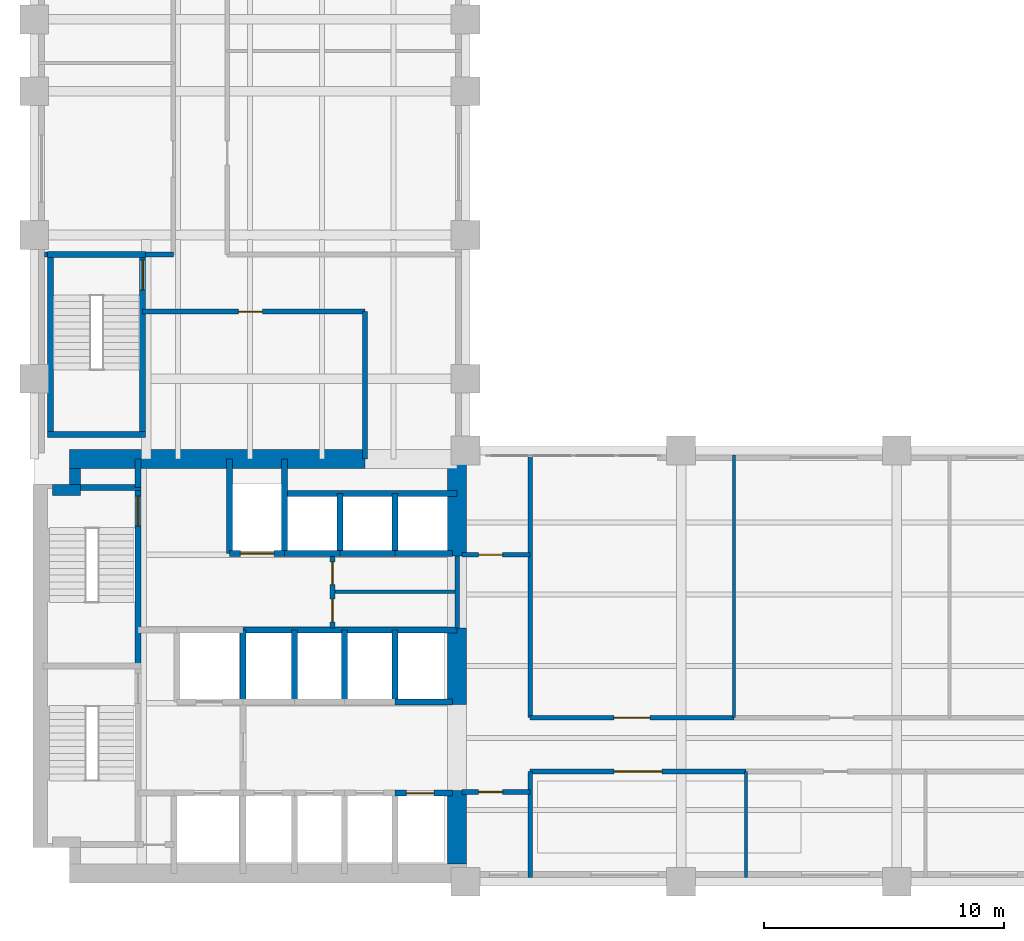
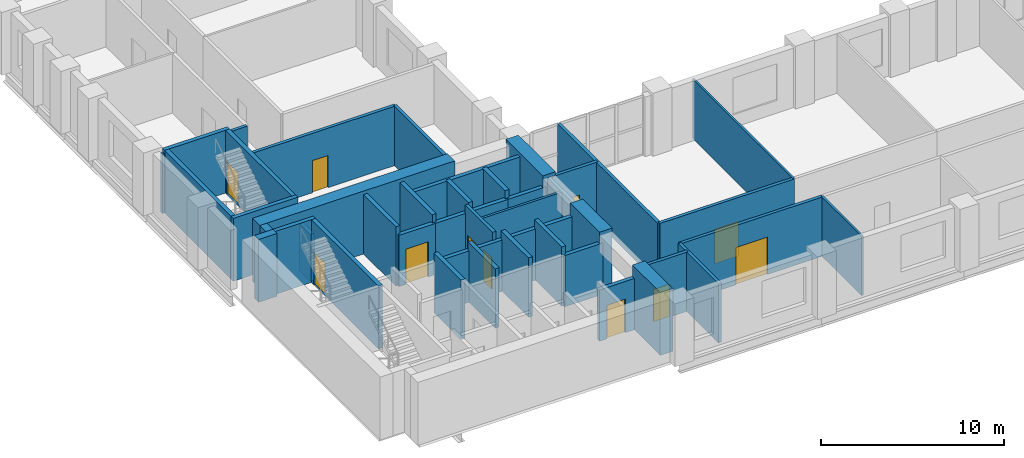
# One storey, part 5 of 8: 44 walls, 11 doors, 11 openings.
"""IFC4 building model written with IfcOpenShell, lengths in metres."""

from ifc_helpers import new_model, si_unit, direction, frame, frame_2d, origin, place, context, subcontext, project, spatial, rectangle, extrude, material, layer, layer_set, type_object, element, fill, save


model = new_model("IFC4")

# Units and contexts
model_context = context("Model", 3, precision=1e-05, world=origin(), true_north=direction((0.0, 1.0)))
body_context = subcontext(model_context, "Body", "Model", "MODEL_VIEW")
ifc_project = project(units=[si_unit("LENGTHUNIT", "METRE"), si_unit("AREAUNIT", "SQUARE_METRE"), si_unit("VOLUMEUNIT", "CUBIC_METRE"), si_unit("PLANEANGLEUNIT", "RADIAN"), si_unit("MASSUNIT", "GRAM", prefix="KILO")], contexts=[model_context])

# Site, building, storey
site_placement = place(None, origin())
site = spatial("IfcSite", under=ifc_project, at=site_placement, CompositionType="ELEMENT")
building_placement = place(site_placement, origin())
building = spatial("IfcBuilding", under=site, at=building_placement, Name="Mawjdan Bourse Tower", CompositionType="ELEMENT")
storey_placement = place(building_placement, frame((0.0, 0.0, 76.199951171875)))
storey = spatial("IfcBuildingStorey", under=building, at=storey_placement, Name="L17", CompositionType="ELEMENT", Elevation=76.199951171875)

# Wall, openings, doors
ifc_material_1 = material(Name="Gypsum Fireboard Assembly")
ifc_layer_1 = layer(ifc_material_1, 0.199951171875)
ifc_layer_set_1 = layer_set([ifc_layer_1], Name="Gypsum Fireboard Assembly")
wall_type_1 = type_object("IfcWallType", Name="WL-CMP-200", PredefinedType="PARTITIONING", material=ifc_layer_set_1)
wall_1_placement = place(storey_placement, frame((18.449951171875, 13.60009765625, 0.0), z_axis=(0.0, 0.0, 1.0), x_axis=(0.0, 1.0, 0.0)))
wall_1 = element("IfcWall", 1, at=wall_1_placement, inside=storey, type_object=wall_type_1, Name="L17 Core Restroom West Wall", PredefinedType="PARTITIONING", context=body_context, shape_type="SweptSolid", body=[
    extrude(rectangle(XDim=3.0, YDim=0.199951171875, at=frame_2d((1.5, 0.0))), origin(), (0.0, 0.0, 1.0), 3.969970703125),
])
opening_1_placement = place(wall_1_placement, frame((0.25, 0.0, 0.0)))
opening_1 = element("IfcOpeningElement", 2, at=opening_1_placement, cuts=wall_1, Name="Opening D-L17-14", PredefinedType="OPENING", context=body_context, shape_type="SweptSolid", body=[
    extrude(rectangle(XDim=0.949951171875, YDim=2.10009765625, at=frame_2d((0.47509765625, 1.050048828125))), frame((0.0, 0.10986328125, 0.0), z_axis=(0.0, -1.0, 0.0), x_axis=(1.0, 0.0, 0.0)), (0.0, 0.0, 1.0), 0.219970703125),
])
opening_2_placement = place(wall_1_placement, frame((1.800048828125, 0.0, 0.0)))
opening_2 = element("IfcOpeningElement", 3, at=opening_2_placement, cuts=wall_1, Name="Opening D-L17-15", PredefinedType="OPENING", context=body_context, shape_type="SweptSolid", body=[
    extrude(rectangle(XDim=0.949951171875, YDim=2.10009765625, at=frame_2d((0.47509765625, 1.050048828125))), frame((0.0, 0.10986328125, 0.0), z_axis=(0.0, -1.0, 0.0), x_axis=(1.0, 0.0, 0.0)), (0.0, 0.0, 1.0), 0.219970703125),
])
ifc_material_2 = material(Name="Moisture-Resistant Laminate Timber", Category="wood")
door_type_1 = type_object("IfcDoorType", Name="DR-WET-0950", OperationType="NOTDEFINED", PredefinedType="DOOR", material=ifc_material_2)
door_1_placement = place(opening_1_placement, origin())
door_1 = element("IfcDoor", 4, at=door_1_placement, inside=storey, type_object=door_type_1, Name="L17 Accessible WC Entry Door D-L17-14", OperationType="SINGLE_SWING_RIGHT", OverallHeight=2.10009765625, OverallWidth=0.949951171875, PredefinedType="DOOR", context=body_context, shape_type="SweptSolid", body=[
    extrude(rectangle(XDim=0.949951171875, YDim=2.10009765625, at=frame_2d((0.47509765625, 1.050048828125))), frame((0.0, 0.02490234375, 0.0), z_axis=(0.0, -1.0, 0.0), x_axis=(1.0, 0.0, 0.0)), (0.0, 0.0, 1.0), 0.050048828125),
])
fill(opening_1, door_1)
door_2_placement = place(opening_2_placement, origin())
door_2 = element("IfcDoor", 5, at=door_2_placement, inside=storey, type_object=door_type_1, Name="L17 Female Restroom Entry Door D-L17-15", OperationType="SINGLE_SWING_LEFT", OverallHeight=2.10009765625, OverallWidth=0.949951171875, PredefinedType="DOOR", context=body_context, shape_type="SweptSolid", body=[
    extrude(rectangle(XDim=0.949951171875, YDim=2.10009765625, at=frame_2d((0.47509765625, 1.050048828125))), frame((0.0, 0.02490234375, 0.0), z_axis=(0.0, -1.0, 0.0), x_axis=(1.0, 0.0, 0.0)), (0.0, 0.0, 1.0), 0.050048828125),
])
fill(opening_2, door_2)

# Wall
wall_2_placement = place(storey_placement, frame((23.64990234375, 13.60009765625, 0.0), z_axis=(0.0, 0.0, 1.0), x_axis=(0.0, 1.0, 0.0)))
element("IfcWall", 6, at=wall_2_placement, inside=storey, type_object=wall_type_1, Name="L17 Core Restroom East Enclosing Wall", PredefinedType="PARTITIONING", context=body_context, shape_type="SweptSolid", body=[
    extrude(rectangle(XDim=3.0, YDim=0.199951171875, at=frame_2d((1.5, 0.0))), origin(), (0.0, 0.0, 1.0), 3.969970703125),
])

# Wall, opening, door
wall_3_placement = place(storey_placement, frame((23.85009765625, 6.75, 0.0), z_axis=(0.0, 0.0, 1.0), x_axis=(1.0, 0.0, 0.0)))
wall_3 = element("IfcWall", 7, at=wall_3_placement, inside=storey, type_object=wall_type_1, Name="L17 West Pocket North Wall", PredefinedType="PARTITIONING", context=body_context, shape_type="SweptSolid", body=[
    extrude(rectangle(XDim=2.849853515625, YDim=0.199951171875, at=frame_2d((1.4248046875, 0.0))), origin(), (0.0, 0.0, 1.0), 3.969970703125),
])
opening_3_placement = place(wall_3_placement, frame((0.699951171875, 0.0, 0.0)))
opening_3 = element("IfcOpeningElement", 8, at=opening_3_placement, cuts=wall_3, Name="Opening D-L17-17", PredefinedType="OPENING", context=body_context, shape_type="SweptSolid", body=[
    extrude(rectangle(XDim=1.0, YDim=2.14990234375, at=frame_2d((0.5, 1.074951171875))), frame((0.0, 0.10986328125, 0.0), z_axis=(0.0, -1.0, 0.0), x_axis=(1.0, 0.0, 0.0)), (0.0, 0.0, 1.0), 0.219970703125),
])
ifc_material_3 = material(Name="Hardwood Acoustic Leaf", Category="wood")
door_type_2 = type_object("IfcDoorType", Name="DR-OFC-1000", OperationType="NOTDEFINED", PredefinedType="DOOR", material=ifc_material_3)
door_3_placement = place(opening_3_placement, origin())
door_3 = element("IfcDoor", 9, at=door_3_placement, inside=storey, type_object=door_type_2, Name="L17 West Pocket Office Door D-L17-17", OperationType="SINGLE_SWING_LEFT", OverallHeight=2.14990234375, OverallWidth=1.0, PredefinedType="DOOR", context=body_context, shape_type="SweptSolid", body=[
    extrude(rectangle(XDim=1.0, YDim=2.14990234375, at=frame_2d((0.5, 1.074951171875))), frame((0.0, 0.02490234375, 0.0), z_axis=(0.0, -1.0, 0.0), x_axis=(1.0, 0.0, 0.0)), (0.0, 0.0, 1.0), 0.050048828125),
])
fill(opening_3, door_3)

wall_4_placement = place(storey_placement, frame((23.85009765625, 16.64990234375, 0.0), z_axis=(0.0, 0.0, 1.0), x_axis=(1.0, 0.0, 0.0)))
wall_4 = element("IfcWall", 10, at=wall_4_placement, inside=storey, type_object=wall_type_1, Name="L17 West North Pocket Wall", PredefinedType="PARTITIONING", context=body_context, shape_type="SweptSolid", body=[
    extrude(rectangle(XDim=2.849853515625, YDim=0.199951171875, at=frame_2d((1.4248046875, 0.0))), origin(), (0.0, 0.0, 1.0), 3.969970703125),
])
opening_4_placement = place(wall_4_placement, frame((0.699951171875, 0.0, 0.0)))
opening_4 = element("IfcOpeningElement", 11, at=opening_4_placement, cuts=wall_4, Name="Opening D-L17-18", PredefinedType="OPENING", context=body_context, shape_type="SweptSolid", body=[
    extrude(rectangle(XDim=1.0, YDim=2.14990234375, at=frame_2d((0.5, 1.074951171875))), frame((0.0, 0.10986328125, 0.0), z_axis=(0.0, -1.0, 0.0), x_axis=(1.0, 0.0, 0.0)), (0.0, 0.0, 1.0), 0.219970703125),
])
door_4_placement = place(opening_4_placement, origin())
door_4 = element("IfcDoor", 12, at=door_4_placement, inside=storey, type_object=door_type_2, Name="L17 West North Pocket Door D-L17-18", OperationType="SINGLE_SWING_RIGHT", OverallHeight=2.14990234375, OverallWidth=1.0, PredefinedType="DOOR", context=body_context, shape_type="SweptSolid", body=[
    extrude(rectangle(XDim=1.0, YDim=2.14990234375, at=frame_2d((0.5, 1.074951171875))), frame((0.0, 0.02490234375, 0.0), z_axis=(0.0, -1.0, 0.0), x_axis=(1.0, 0.0, 0.0)), (0.0, 0.0, 1.0), 0.050048828125),
])
fill(opening_4, door_4)

# Walls
wall_5_placement = place(storey_placement, frame((26.699951171875, 3.179931640625, 0.0), z_axis=(0.0, 0.0, 1.0), x_axis=(0.0, 1.0, 0.0)))
element("IfcWall", 13, at=wall_5_placement, inside=storey, type_object=wall_type_1, Name="L17 Vestibule South East Wall", PredefinedType="PARTITIONING", context=body_context, shape_type="SweptSolid", body=[
    extrude(rectangle(XDim=4.420166015625, YDim=0.199951171875, at=frame_2d((2.2099609375, 0.0))), origin(), (0.0, 0.0, 1.0), 3.969970703125),
])
wall_6_placement = place(storey_placement, frame((26.699951171875, 9.85009765625, 0.0), z_axis=(0.0, 0.0, 1.0), x_axis=(0.0, 1.0, 0.0)))
element("IfcWall", 14, at=wall_6_placement, inside=storey, type_object=wall_type_1, Name="L17 Vestibule North East Wall", PredefinedType="PARTITIONING", context=body_context, shape_type="SweptSolid", body=[
    extrude(rectangle(XDim=10.969970703125, YDim=0.199951171875, at=frame_2d((5.48486328125, 0.0))), origin(), (0.0, 0.0, 1.0), 3.969970703125),
])

# Wall, opening, door
wall_7_placement = place(storey_placement, frame((26.699951171875, 7.60009765625, 0.0), z_axis=(0.0, 0.0, 1.0), x_axis=(1.0, 0.0, 0.0)))
wall_7 = element("IfcWall", 15, at=wall_7_placement, inside=storey, type_object=wall_type_1, Name="L17 Trading Floor Corridor Wall", PredefinedType="PARTITIONING", context=body_context, shape_type="SweptSolid", body=[
    extrude(rectangle(XDim=9.0, YDim=0.199951171875, at=frame_2d((4.5, 0.0))), origin(), (0.0, 0.0, 1.0), 3.969970703125),
])
opening_5_placement = place(wall_7_placement, frame((3.5, 0.0, 0.0)))
opening_5 = element("IfcOpeningElement", 16, at=opening_5_placement, cuts=wall_7, Name="Opening D-L17-19", PredefinedType="OPENING", context=body_context, shape_type="SweptSolid", body=[
    extrude(rectangle(XDim=2.0, YDim=2.5, at=frame_2d((1.0, 1.25))), frame((0.0, 0.10986328125, 0.0), z_axis=(0.0, -1.0, 0.0), x_axis=(1.0, 0.0, 0.0)), (0.0, 0.0, 1.0), 0.219970703125),
])
ifc_material_4 = material(Name="Acoustic Veneered Timber", Category="wood")
door_type_3 = type_object("IfcDoorType", Name="DR-ASM-2000", OperationType="DOUBLE_DOOR_SINGLE_SWING", PredefinedType="DOOR", material=ifc_material_4)
door_5_placement = place(opening_5_placement, origin())
door_5 = element("IfcDoor", 17, at=door_5_placement, inside=storey, type_object=door_type_3, Name="L17 Trading Floor Door D-L17-19", OperationType="DOUBLE_DOOR_SINGLE_SWING", OverallHeight=2.5, OverallWidth=2.0, PredefinedType="DOOR", context=body_context, shape_type="SweptSolid", body=[
    extrude(rectangle(XDim=2.0, YDim=2.5, at=frame_2d((1.0, 1.25))), frame((0.0, 0.02490234375, 0.0), z_axis=(0.0, -1.0, 0.0), x_axis=(1.0, 0.0, 0.0)), (0.0, 0.0, 1.0), 0.050048828125),
])
fill(opening_5, door_5)

wall_8_placement = place(storey_placement, frame((26.699951171875, 9.85009765625, 0.0), z_axis=(0.0, 0.0, 1.0), x_axis=(1.0, 0.0, 0.0)))
wall_8 = element("IfcWall", 18, at=wall_8_placement, inside=storey, type_object=wall_type_1, Name="L17 Conference Room Corridor Wall", PredefinedType="PARTITIONING", context=body_context, shape_type="SweptSolid", body=[
    extrude(rectangle(XDim=8.5, YDim=0.199951171875, at=frame_2d((4.25, 0.0))), origin(), (0.0, 0.0, 1.0), 3.969970703125),
])
opening_6_placement = place(wall_8_placement, frame((3.5, 0.0, 0.0)))
opening_6 = element("IfcOpeningElement", 19, at=opening_6_placement, cuts=wall_8, Name="Opening D-L17-22", PredefinedType="OPENING", context=body_context, shape_type="SweptSolid", body=[
    extrude(rectangle(XDim=1.5, YDim=2.300048828125, at=frame_2d((0.75, 1.14990234375))), frame((0.0, 0.10986328125, 0.0), z_axis=(0.0, -1.0, 0.0), x_axis=(1.0, 0.0, 0.0)), (0.0, 0.0, 1.0), 0.219970703125),
])
ifc_material_5 = material(Name="Acoustic Glazed Timber", Category="wood")
door_type_4 = type_object("IfcDoorType", Name="DR-CNF-1500", OperationType="DOUBLE_DOOR_SINGLE_SWING", PredefinedType="DOOR", material=ifc_material_5)
door_6_placement = place(opening_6_placement, origin())
door_6 = element("IfcDoor", 20, at=door_6_placement, inside=storey, type_object=door_type_4, Name="L17 Conference Room Door D-L17-22", OperationType="DOUBLE_DOOR_SINGLE_SWING", OverallHeight=2.300048828125, OverallWidth=1.5, PredefinedType="DOOR", context=body_context, shape_type="SweptSolid", body=[
    extrude(rectangle(XDim=1.5, YDim=2.300048828125, at=frame_2d((0.75, 1.14990234375))), frame((0.0, 0.02490234375, 0.0), z_axis=(0.0, -1.0, 0.0), x_axis=(1.0, 0.0, 0.0)), (0.0, 0.0, 1.0), 0.050048828125),
])
fill(opening_6, door_6)

wall_9_placement = place(storey_placement, frame((10.52001953125, 26.800048828125, 0.0), z_axis=(0.0, 0.0, 1.0), x_axis=(1.0, 0.0, 0.0)))
wall_9 = element("IfcWall", 21, at=wall_9_placement, inside=storey, type_object=wall_type_1, Name="L17 North Throat North Wall", PredefinedType="PARTITIONING", context=body_context, shape_type="SweptSolid", body=[
    extrude(rectangle(XDim=9.280029296875, YDim=0.199951171875, at=frame_2d((4.64013671875, 0.0))), origin(), (0.0, 0.0, 1.0), 3.969970703125),
])
opening_7_placement = place(wall_9_placement, frame((4.0, 0.0, 0.0)))
opening_7 = element("IfcOpeningElement", 22, at=opening_7_placement, cuts=wall_9, Name="Opening D-L17-27", PredefinedType="OPENING", context=body_context, shape_type="SweptSolid", body=[
    extrude(rectangle(XDim=1.0, YDim=2.14990234375, at=frame_2d((0.5, 1.074951171875))), frame((0.0, 0.10986328125, 0.0), z_axis=(0.0, -1.0, 0.0), x_axis=(1.0, 0.0, 0.0)), (0.0, 0.0, 1.0), 0.219970703125),
])
door_7_placement = place(opening_7_placement, origin())
door_7 = element("IfcDoor", 23, at=door_7_placement, inside=storey, type_object=door_type_2, Name="L17 North Throat Suite Door D-L17-27", OperationType="SINGLE_SWING_RIGHT", OverallHeight=2.14990234375, OverallWidth=1.0, PredefinedType="DOOR", context=body_context, shape_type="SweptSolid", body=[
    extrude(rectangle(XDim=1.0, YDim=2.14990234375, at=frame_2d((0.5, 1.074951171875))), frame((0.0, 0.02490234375, 0.0), z_axis=(0.0, -1.0, 0.0), x_axis=(1.0, 0.0, 0.0)), (0.0, 0.0, 1.0), 0.050048828125),
])
fill(opening_7, door_7)

# Walls
wall_10_placement = place(storey_placement, frame((19.800048828125, 20.64990234375, 0.0), z_axis=(0.0, 0.0, 1.0), x_axis=(0.0, 1.0, 0.0)))
element("IfcWall", 24, at=wall_10_placement, inside=storey, type_object=wall_type_1, Name="L17 North Throat East Wall", PredefinedType="PARTITIONING", context=body_context, shape_type="SweptSolid", body=[
    extrude(rectangle(XDim=6.150146484375, YDim=0.199951171875, at=frame_2d((3.0751953125, 0.0))), origin(), (0.0, 0.0, 1.0), 3.969970703125),
])
wall_11_placement = place(storey_placement, frame((6.419921875, 29.179931640625, 0.0), z_axis=(0.0, 0.0, 1.0), x_axis=(1.0, 0.0, 0.0)))
element("IfcWall", 25, at=wall_11_placement, inside=storey, type_object=wall_type_1, Name="L17 North West Band ST3 West Return", PredefinedType="PARTITIONING", context=body_context, shape_type="SweptSolid", body=[
    extrude(rectangle(XDim=0.135009765625, YDim=0.199951171875, at=frame_2d((0.0673828125, 0.0))), origin(), (0.0, 0.0, 1.0), 3.969970703125),
])
wall_12_placement = place(storey_placement, frame((10.6298828125, 29.179931640625, 0.0), z_axis=(0.0, 0.0, 1.0), x_axis=(1.0, 0.0, 0.0)))
element("IfcWall", 26, at=wall_12_placement, inside=storey, type_object=wall_type_1, Name="L17 North West Band South Wall", PredefinedType="PARTITIONING", context=body_context, shape_type="SweptSolid", body=[
    extrude(rectangle(XDim=1.170166015625, YDim=0.199951171875, at=frame_2d((0.5849609375, 0.0))), origin(), (0.0, 0.0, 1.0), 3.969970703125),
])
ifc_material_6 = material(Name="Concrete C60/75", Category="concrete")
ifc_layer_2 = layer(ifc_material_6, 0.449951171875)
ifc_layer_set_2 = layer_set([ifc_layer_2], Name="Concrete C60/75")
wall_type_2 = type_object("IfcWallType", Name="WL-CORE-450", PredefinedType="SHEAR", material=ifc_layer_set_2)
wall_13_placement = place(storey_placement, frame((6.75, 19.35009765625, 0.0), z_axis=(0.0, 0.0, 1.0), x_axis=(1.0, 0.0, 0.0)))
element("IfcWall", 27, at=wall_13_placement, inside=storey, type_object=wall_type_2, Name="L17 Rear Core Shear Wall NW-X", PredefinedType="SHEAR", context=body_context, shape_type="SweptSolid", body=[
    extrude(rectangle(XDim=1.175048828125, YDim=0.449951171875, at=frame_2d((0.58740234375, 0.0))), origin(), (0.0, 0.0, 1.0), 4.199951171875),
])
wall_14_placement = place(storey_placement, frame((7.699951171875, 19.574951171875, 0.0), z_axis=(0.0, 0.0, 1.0), x_axis=(0.0, 1.0, 0.0)))
element("IfcWall", 28, at=wall_14_placement, inside=storey, type_object=wall_type_2, Name="L17 Rear Core Shear Wall NW-Y", PredefinedType="SHEAR", context=body_context, shape_type="SweptSolid", body=[
    extrude(rectangle(XDim=0.675048828125, YDim=0.449951171875, at=frame_2d((0.33740234375, 0.0))), origin(), (0.0, 0.0, 1.0), 4.199951171875),
])
ifc_material_7 = material(Name="Concrete C80/95", Category="concrete")
ifc_layer_3 = layer(ifc_material_7, 0.800048828125)
ifc_layer_set_3 = layer_set([ifc_layer_3], Name="Concrete C80/95")
wall_type_3 = type_object("IfcWallType", Name="WL-CORE-800", PredefinedType="SHEAR", material=ifc_layer_set_3)
wall_15_placement = place(storey_placement, frame((7.47509765625, 20.64990234375, 0.0), z_axis=(0.0, 0.0, 1.0), x_axis=(1.0, 0.0, 0.0)))
element("IfcWall", 29, at=wall_15_placement, inside=storey, type_object=wall_type_3, Name="L17 Rear Core Shear Wall N", PredefinedType="SHEAR", context=body_context, shape_type="SweptSolid", body=[
    extrude(rectangle(XDim=12.324951171875, YDim=0.800048828125, at=frame_2d((6.16259765625, 0.0))), origin(), (0.0, 0.0, 1.0), 4.199951171875),
])
wall_16_placement = place(storey_placement, frame((23.64990234375, 3.75, 0.0), z_axis=(0.0, 0.0, 1.0), x_axis=(0.0, 1.0, 0.0)))
element("IfcWall", 30, at=wall_16_placement, inside=storey, type_object=wall_type_3, Name="L17 Rear Core Shear Wall E1", PredefinedType="SHEAR", context=body_context, shape_type="SweptSolid", body=[
    extrude(rectangle(XDim=3.050048828125, YDim=0.800048828125, at=frame_2d((1.52490234375, 0.0))), origin(), (0.0, 0.0, 1.0), 4.199951171875),
])
wall_17_placement = place(storey_placement, frame((23.64990234375, 10.39990234375, 0.0), z_axis=(0.0, 0.0, 1.0), x_axis=(0.0, 1.0, 0.0)))
element("IfcWall", 31, at=wall_17_placement, inside=storey, type_object=wall_type_3, Name="L17 Rear Core Shear Wall E2", PredefinedType="SHEAR", context=body_context, shape_type="SweptSolid", body=[
    extrude(rectangle(XDim=3.2001953125, YDim=0.800048828125, at=frame_2d((1.60009765625, 0.0))), origin(), (0.0, 0.0, 1.0), 4.199951171875),
])
wall_18_placement = place(storey_placement, frame((23.64990234375, 16.60009765625, 0.0), z_axis=(0.0, 0.0, 1.0), x_axis=(0.0, 1.0, 0.0)))
element("IfcWall", 32, at=wall_18_placement, inside=storey, type_object=wall_type_3, Name="L17 Rear Core Shear Wall E3", PredefinedType="SHEAR", context=body_context, shape_type="SweptSolid", body=[
    extrude(rectangle(XDim=4.0498046875, YDim=0.800048828125, at=frame_2d((2.02490234375, 0.0))), origin(), (0.0, 0.0, 1.0), 4.199951171875),
])
ifc_material_8 = material(Name="Gypsum Partition")
ifc_layer_4 = layer(ifc_material_8, 0.125)
ifc_layer_set_4 = layer_set([ifc_layer_4], Name="Gypsum Partition")
wall_type_4 = type_object("IfcWallType", Name="WL-PRT-125", PredefinedType="PARTITIONING", material=ifc_layer_set_4)
wall_19_placement = place(storey_placement, frame((35.699951171875, 3.179931640625, 0.0), z_axis=(0.0, 0.0, 1.0), x_axis=(0.0, 1.0, 0.0)))
element("IfcWall", 33, at=wall_19_placement, inside=storey, type_object=wall_type_4, Name="L17 FX Treasury Suite Partition", PredefinedType="PARTITIONING", context=body_context, shape_type="SweptSolid", body=[
    extrude(rectangle(XDim=4.420166015625, YDim=0.125, at=frame_2d((2.2099609375, 0.0))), origin(), (0.0, 0.0, 1.0), 3.969970703125),
])
wall_20_placement = place(storey_placement, frame((35.199951171875, 9.85009765625, 0.0), z_axis=(0.0, 0.0, 1.0), x_axis=(0.0, 1.0, 0.0)))
element("IfcWall", 34, at=wall_20_placement, inside=storey, type_object=wall_type_4, Name="L17 Executive Office Partition", PredefinedType="PARTITIONING", context=body_context, shape_type="SweptSolid", body=[
    extrude(rectangle(XDim=10.969970703125, YDim=0.125, at=frame_2d((5.48486328125, 0.0))), origin(), (0.0, 0.0, 1.0), 3.969970703125),
])
ifc_material_9 = material(Name="Gypsum Acoustic Partition")
ifc_layer_5 = layer(ifc_material_9, 0.14990234375)
ifc_layer_set_5 = layer_set([ifc_layer_5], Name="Gypsum Acoustic Partition")
wall_type_5 = type_object("IfcWallType", Name="WL-PRT-150", PredefinedType="PARTITIONING", material=ifc_layer_set_5)
wall_21_placement = place(storey_placement, frame((18.449951171875, 15.10009765625, 0.0), z_axis=(0.0, 0.0, 1.0), x_axis=(1.0, 0.0, 0.0)))
element("IfcWall", 35, at=wall_21_placement, inside=storey, type_object=wall_type_5, Name="L17 Core Restroom Horizontal Split", PredefinedType="PARTITIONING", context=body_context, shape_type="SweptSolid", body=[
    extrude(rectangle(XDim=5.199951171875, YDim=0.14990234375, at=frame_2d((2.60009765625, 0.0))), origin(), (0.0, 0.0, 1.0), 3.969970703125),
])
ifc_material_10 = material(Name="Concrete C50/60", Category="concrete")
ifc_layer_6 = layer(ifc_material_10, 0.25)
ifc_layer_set_6 = layer_set([ifc_layer_6], Name="Concrete C50/60")
wall_type_6 = type_object("IfcWallType", Name="WL-SHFT-250", PredefinedType="PARTITIONING", material=ifc_layer_set_6)
wall_22_placement = place(storey_placement, frame((10.330078125, 19.449951171875, 0.0), z_axis=(0.0, 0.0, 1.0), x_axis=(0.0, 1.0, 0.0)))
element("IfcWall", 36, at=wall_22_placement, inside=storey, type_object=wall_type_6, Name="L17 NW Riser East Wall", PredefinedType="PARTITIONING", context=body_context, shape_type="SweptSolid", body=[
    extrude(rectangle(XDim=1.199951171875, YDim=0.25, at=frame_2d((0.60009765625, 0.0))), origin(), (0.0, 0.0, 1.0), 3.114013671875),
])
wall_23_placement = place(storey_placement, frame((14.699951171875, 10.5, 0.0), z_axis=(0.0, 0.0, 1.0), x_axis=(0.0, 1.0, 0.0)))
element("IfcWall", 37, at=wall_23_placement, inside=storey, type_object=wall_type_6, Name="L17 FFL-02 East Shaft Wall", PredefinedType="PARTITIONING", context=body_context, shape_type="SweptSolid", body=[
    extrude(rectangle(XDim=3.0, YDim=0.25, at=frame_2d((1.5, 0.0))), origin(), (0.0, 0.0, 1.0), 3.969970703125),
])

# Wall, opening, door
wall_24_placement = place(storey_placement, frame((14.14990234375, 16.699951171875, 0.0), z_axis=(0.0, 0.0, 1.0), x_axis=(1.0, 0.0, 0.0)))
wall_24 = element("IfcWall", 38, at=wall_24_placement, inside=storey, type_object=wall_type_6, Name="L17 SVL-01 Front Shaft Wall", PredefinedType="PARTITIONING", context=body_context, shape_type="SweptSolid", body=[
    extrude(rectangle(XDim=2.300048828125, YDim=0.25, at=frame_2d((1.14990234375, 0.0))), origin(), (0.0, 0.0, 1.0), 3.426025390625),
])
opening_8_placement = place(wall_24_placement, frame((0.449951171875, 0.0, 0.0)))
opening_8 = element("IfcOpeningElement", 39, at=opening_8_placement, cuts=wall_24, Name="Opening LD-L17-09", PredefinedType="OPENING", context=body_context, shape_type="SweptSolid", body=[
    extrude(rectangle(XDim=1.39990234375, YDim=2.35009765625, at=frame_2d((0.699951171875, 1.175048828125))), frame((0.0, 0.135009765625, 0.0), z_axis=(0.0, -1.0, 0.0), x_axis=(1.0, 0.0, 0.0)), (0.0, 0.0, 1.0), 0.27001953125),
])
ifc_material_11 = material(Name="Heavy-Duty Stainless Steel", Category="steel")
door_type_5 = type_object("IfcDoorType", Name="LD-SRV-1400", OperationType="DOUBLE_DOOR_SLIDING", PredefinedType="DOOR", material=ifc_material_11)
door_8_placement = place(opening_8_placement, origin())
door_8 = element("IfcDoor", 40, at=door_8_placement, inside=storey, type_object=door_type_5, Name="L17 Service Lift SVL-01 Landing Door LD-L17-09", OperationType="DOUBLE_DOOR_SLIDING", OverallHeight=2.35009765625, OverallWidth=1.39990234375, PredefinedType="DOOR", context=body_context, shape_type="SweptSolid", body=[
    extrude(rectangle(XDim=1.39990234375, YDim=2.35009765625, at=frame_2d((0.699951171875, 1.175048828125))), frame((0.0, 0.02490234375, 0.0), z_axis=(0.0, -1.0, 0.0), x_axis=(1.0, 0.0, 0.0)), (0.0, 0.0, 1.0), 0.050048828125),
])
fill(opening_8, door_8)

# Walls
for number, where, z_axis, x_axis, name in (
    (41, (14.14990234375, 16.699951171875, 0.0), (0.0, 0.0, 1.0), (0.0, 1.0, 0.0), "L17 SVL-01 West Shaft Wall"),
    (42, (16.449951171875, 16.699951171875, 0.0), (0.0, 0.0, 1.0), (0.0, 1.0, 0.0), "L17 SVL-01 East Shaft Wall"),
):
    element("IfcWall", number, at=place(storey_placement, frame(where, z_axis=z_axis, x_axis=x_axis)), inside=storey, type_object=wall_type_6, Name=name, PredefinedType="PARTITIONING", context=body_context, shape_type="SweptSolid", body=[
        extrude(rectangle(XDim=3.949951171875, YDim=0.25, at=frame_2d((1.97509765625, 0.0))), origin(), (0.0, 0.0, 1.0), 3.969970703125),
    ])
wall_25_placement = place(storey_placement, frame((16.449951171875, 16.699951171875, 0.0), z_axis=(0.0, 0.0, 1.0), x_axis=(1.0, 0.0, 0.0)))
element("IfcWall", 43, at=wall_25_placement, inside=storey, type_object=wall_type_6, Name="L17 PH-01 Front Wall", PredefinedType="PARTITIONING", context=body_context, shape_type="SweptSolid", body=[
    extrude(rectangle(XDim=2.300048828125, YDim=0.25, at=frame_2d((1.14990234375, 0.0))), origin(), (0.0, 0.0, 1.0), 3.426025390625),
])
wall_26_placement = place(storey_placement, frame((18.75, 16.699951171875, 0.0), z_axis=(0.0, 0.0, 1.0), x_axis=(0.0, 1.0, 0.0)))
element("IfcWall", 44, at=wall_26_placement, inside=storey, type_object=wall_type_6, Name="L17 PH-01 Divider Wall", PredefinedType="PARTITIONING", context=body_context, shape_type="SweptSolid", body=[
    extrude(rectangle(XDim=2.5, YDim=0.25, at=frame_2d((1.25, 0.0))), origin(), (0.0, 0.0, 1.0), 3.969970703125),
])
wall_27_placement = place(storey_placement, frame((18.75, 16.699951171875, 0.0), z_axis=(0.0, 0.0, 1.0), x_axis=(1.0, 0.0, 0.0)))
element("IfcWall", 45, at=wall_27_placement, inside=storey, type_object=wall_type_6, Name="L17 PH-02 Front Wall", PredefinedType="PARTITIONING", context=body_context, shape_type="SweptSolid", body=[
    extrude(rectangle(XDim=2.300048828125, YDim=0.25, at=frame_2d((1.14990234375, 0.0))), origin(), (0.0, 0.0, 1.0), 3.426025390625),
])
wall_28_placement = place(storey_placement, frame((21.050048828125, 16.699951171875, 0.0), z_axis=(0.0, 0.0, 1.0), x_axis=(0.0, 1.0, 0.0)))
element("IfcWall", 46, at=wall_28_placement, inside=storey, type_object=wall_type_6, Name="L17 PH-02 Divider Wall", PredefinedType="PARTITIONING", context=body_context, shape_type="SweptSolid", body=[
    extrude(rectangle(XDim=2.5, YDim=0.25, at=frame_2d((1.25, 0.0))), origin(), (0.0, 0.0, 1.0), 3.969970703125),
])
wall_29_placement = place(storey_placement, frame((21.050048828125, 16.699951171875, 0.0), z_axis=(0.0, 0.0, 1.0), x_axis=(1.0, 0.0, 0.0)))
element("IfcWall", 47, at=wall_29_placement, inside=storey, type_object=wall_type_6, Name="L17 PH-03 Front Wall", PredefinedType="PARTITIONING", context=body_context, shape_type="SweptSolid", body=[
    extrude(rectangle(XDim=2.39990234375, YDim=0.25, at=frame_2d((1.199951171875, 0.0))), origin(), (0.0, 0.0, 1.0), 3.426025390625),
])
wall_30_placement = place(storey_placement, frame((16.449951171875, 19.199951171875, 0.0), z_axis=(0.0, 0.0, 1.0), x_axis=(1.0, 0.0, 0.0)))
element("IfcWall", 48, at=wall_30_placement, inside=storey, type_object=wall_type_6, Name="L17 PH Bank North Shaft Back Wall", PredefinedType="PARTITIONING", context=body_context, shape_type="SweptSolid", body=[
    extrude(rectangle(XDim=7.199951171875, YDim=0.25, at=frame_2d((3.60009765625, 0.0))), origin(), (0.0, 0.0, 1.0), 3.969970703125),
])

# Wall, opening, door
wall_31_placement = place(storey_placement, frame((21.050048828125, 6.699951171875, 0.0), z_axis=(0.0, 0.0, 1.0), x_axis=(1.0, 0.0, 0.0)))
wall_31 = element("IfcWall", 49, at=wall_31_placement, inside=storey, type_object=wall_type_6, Name="L17 PL-03 Front Wall", PredefinedType="PARTITIONING", context=body_context, shape_type="SweptSolid", body=[
    extrude(rectangle(XDim=2.39990234375, YDim=0.25, at=frame_2d((1.199951171875, 0.0))), origin(), (0.0, 0.0, 1.0), 3.426025390625),
])
opening_9_placement = place(wall_31_placement, frame((0.47998046875, 0.0, 0.0)))
opening_9 = element("IfcOpeningElement", 50, at=opening_9_placement, cuts=wall_31, Name="Opening LD-L17-13", PredefinedType="OPENING", context=body_context, shape_type="SweptSolid", body=[
    extrude(rectangle(XDim=1.14990234375, YDim=2.25, at=frame_2d((0.574951171875, 1.125))), frame((0.0, 0.135009765625, 0.0), z_axis=(0.0, -1.0, 0.0), x_axis=(1.0, 0.0, 0.0)), (0.0, 0.0, 1.0), 0.27001953125),
])
ifc_material_12 = material(Name="Brushed Stainless Steel", Category="steel")
door_type_6 = type_object("IfcDoorType", Name="LD-PAS-1150", OperationType="DOUBLE_DOOR_SLIDING", PredefinedType="DOOR", material=ifc_material_12)
door_9_placement = place(opening_9_placement, origin())
door_9 = element("IfcDoor", 51, at=door_9_placement, inside=storey, type_object=door_type_6, Name="L17 Lift PL-03 Landing Door LD-L17-13", OperationType="DOUBLE_DOOR_SLIDING", OverallHeight=2.25, OverallWidth=1.14990234375, PredefinedType="DOOR", context=body_context, shape_type="SweptSolid", body=[
    extrude(rectangle(XDim=1.14990234375, YDim=2.25, at=frame_2d((0.574951171875, 1.125))), frame((0.0, 0.02490234375, 0.0), z_axis=(0.0, -1.0, 0.0), x_axis=(1.0, 0.0, 0.0)), (0.0, 0.0, 1.0), 0.050048828125),
])
fill(opening_9, door_9)

# Walls
for number, where, z_axis, x_axis, name in (
    (52, (16.85009765625, 10.5, 0.0), (0.0, 0.0, 1.0), (0.0, 1.0, 0.0), "L17 PM-01 Divider Wall"),
    (53, (18.949951171875, 10.5, 0.0), (0.0, 0.0, 1.0), (0.0, 1.0, 0.0), "L17 PM-02 Divider Wall"),
    (54, (21.050048828125, 10.5, 0.0), (0.0, 0.0, 1.0), (0.0, 1.0, 0.0), "L17 PM-03 Divider Wall"),
):
    element("IfcWall", number, at=place(storey_placement, frame(where, z_axis=z_axis, x_axis=x_axis)), inside=storey, type_object=wall_type_6, Name=name, PredefinedType="PARTITIONING", context=body_context, shape_type="SweptSolid", body=[
        extrude(rectangle(XDim=3.0, YDim=0.25, at=frame_2d((1.5, 0.0))), origin(), (0.0, 0.0, 1.0), 3.969970703125),
    ])
wall_32_placement = place(storey_placement, frame((21.050048828125, 10.5, 0.0), z_axis=(0.0, 0.0, 1.0), x_axis=(1.0, 0.0, 0.0)))
element("IfcWall", 55, at=wall_32_placement, inside=storey, type_object=wall_type_6, Name="L17 PM-04 Front Wall", PredefinedType="PARTITIONING", context=body_context, shape_type="SweptSolid", body=[
    extrude(rectangle(XDim=2.39990234375, YDim=0.25, at=frame_2d((1.199951171875, 0.0))), origin(), (0.0, 0.0, 1.0), 3.426025390625),
])
wall_33_placement = place(storey_placement, frame((14.699951171875, 13.5, 0.0), z_axis=(0.0, 0.0, 1.0), x_axis=(1.0, 0.0, 0.0)))
element("IfcWall", 56, at=wall_33_placement, inside=storey, type_object=wall_type_6, Name="L17 PM Bank North Shaft Back Wall", PredefinedType="PARTITIONING", context=body_context, shape_type="SweptSolid", body=[
    extrude(rectangle(XDim=8.949951171875, YDim=0.25, at=frame_2d((4.47509765625, 0.0))), origin(), (0.0, 0.0, 1.0), 3.426025390625),
])
ifc_layer_7 = layer(ifc_material_10, 0.25)
ifc_layer_set_7 = layer_set([ifc_layer_7], Name="Concrete C50/60")
wall_type_7 = type_object("IfcWallType", Name="WL-STRW-250", PredefinedType="SHEAR", material=ifc_layer_set_7)
wall_34_placement = place(storey_placement, frame((7.699951171875, 19.449951171875, 0.0), z_axis=(0.0, 0.0, 1.0), x_axis=(1.0, 0.0, 0.0)))
element("IfcWall", 57, at=wall_34_placement, inside=storey, type_object=wall_type_7, Name="L17 Stairwell ST2 North Shaft Wall", PredefinedType="SHEAR", context=body_context, shape_type="SweptSolid", body=[
    extrude(rectangle(XDim=2.755126953125, YDim=0.25, at=frame_2d((1.37744140625, 0.0))), origin(), (0.0, 0.0, 1.0), 4.199951171875),
])

# Wall, opening, door
wall_35_placement = place(storey_placement, frame((10.330078125, 12.0, 0.0), z_axis=(0.0, 0.0, 1.0), x_axis=(0.0, 1.0, 0.0)))
wall_35 = element("IfcWall", 58, at=wall_35_placement, inside=storey, type_object=wall_type_7, Name="L17 Stairwell ST2 East Enclosure Wall", PredefinedType="SHEAR", context=body_context, shape_type="SweptSolid", body=[
    extrude(rectangle(XDim=7.449951171875, YDim=0.25, at=frame_2d((3.72509765625, 0.0))), origin(), (0.0, 0.0, 1.0), 4.199951171875),
])
opening_10_placement = place(wall_35_placement, frame((5.85009765625, 0.0, 0.0)))
opening_10 = element("IfcOpeningElement", 59, at=opening_10_placement, cuts=wall_35, Name="Opening SD-L17-02", PredefinedType="OPENING", context=body_context, shape_type="SweptSolid", body=[
    extrude(rectangle(XDim=1.25, YDim=2.199951171875, at=frame_2d((0.625, 1.10009765625))), frame((0.0, 0.135009765625, 0.0), z_axis=(0.0, -1.0, 0.0), x_axis=(1.0, 0.0, 0.0)), (0.0, 0.0, 1.0), 0.27001953125),
])
ifc_material_13 = material(Name="Fire-Rated Steel Leaf", Category="steel")
door_type_7 = type_object("IfcDoorType", Name="FD-ST-1250", OperationType="NOTDEFINED", PredefinedType="DOOR", material=ifc_material_13)
door_10_placement = place(opening_10_placement, origin())
door_10 = element("IfcDoor", 60, at=door_10_placement, inside=storey, type_object=door_type_7, Name="L17 Exit Stair ST2 Fire Door SD-L17-02", OperationType="SINGLE_SWING_LEFT", OverallHeight=2.199951171875, OverallWidth=1.25, PredefinedType="DOOR", context=body_context, shape_type="SweptSolid", body=[
    extrude(rectangle(XDim=1.25, YDim=2.199951171875, at=frame_2d((0.625, 1.10009765625))), frame((0.0, 0.02490234375, 0.0), z_axis=(0.0, -1.0, 0.0), x_axis=(1.0, 0.0, 0.0)), (0.0, 0.0, 1.0), 0.050048828125),
])
fill(opening_10, door_10)

# Walls
for number, where, z_axis, x_axis, name in (
    (61, (6.554931640625, 21.679931640625, 0.0), (0.0, 0.0, 1.0), (1.0, 0.0, 0.0), "L17 ST3 South Shaft Wall"),
    (62, (6.554931640625, 29.179931640625, 0.0), (0.0, 0.0, 1.0), (1.0, 0.0, 0.0), "L17 ST3 North Shaft Wall"),
):
    element("IfcWall", number, at=place(storey_placement, frame(where, z_axis=z_axis, x_axis=x_axis)), inside=storey, type_object=wall_type_7, Name=name, PredefinedType="SHEAR", context=body_context, shape_type="SweptSolid", body=[
        extrude(rectangle(XDim=4.090087890625, YDim=0.25, at=frame_2d((2.044921875, 0.0))), origin(), (0.0, 0.0, 1.0), 4.199951171875),
    ])
wall_36_placement = place(storey_placement, frame((6.679931640625, 21.679931640625, 0.0), z_axis=(0.0, 0.0, 1.0), x_axis=(0.0, 1.0, 0.0)))
element("IfcWall", 63, at=wall_36_placement, inside=storey, type_object=wall_type_7, Name="L17 ST3 West Shaft Wall", PredefinedType="SHEAR", context=body_context, shape_type="SweptSolid", body=[
    extrude(rectangle(XDim=7.5, YDim=0.25, at=frame_2d((3.75, 0.0))), origin(), (0.0, 0.0, 1.0), 4.199951171875),
])

# Wall, opening, door
wall_37_placement = place(storey_placement, frame((10.52001953125, 21.679931640625, 0.0), z_axis=(0.0, 0.0, 1.0), x_axis=(0.0, 1.0, 0.0)))
wall_37 = element("IfcWall", 64, at=wall_37_placement, inside=storey, type_object=wall_type_7, Name="L17 ST3 East Shaft Wall", PredefinedType="SHEAR", context=body_context, shape_type="SweptSolid", body=[
    extrude(rectangle(XDim=7.5, YDim=0.25, at=frame_2d((3.75, 0.0))), origin(), (0.0, 0.0, 1.0), 4.199951171875),
])
opening_11_placement = place(wall_37_placement, frame((6.02001953125, 0.0, 0.0)))
opening_11 = element("IfcOpeningElement", 65, at=opening_11_placement, cuts=wall_37, Name="Opening SD-L17-16", PredefinedType="OPENING", context=body_context, shape_type="SweptSolid", body=[
    extrude(rectangle(XDim=1.25, YDim=2.199951171875, at=frame_2d((0.625, 1.10009765625))), frame((0.0, 0.135009765625, 0.0), z_axis=(0.0, -1.0, 0.0), x_axis=(1.0, 0.0, 0.0)), (0.0, 0.0, 1.0), 0.27001953125),
])
door_11_placement = place(opening_11_placement, origin())
door_11 = element("IfcDoor", 66, at=door_11_placement, inside=storey, type_object=door_type_7, Name="L17 Stair ST3 Fire Door SD-L17-16", OperationType="SINGLE_SWING_RIGHT", OverallHeight=2.199951171875, OverallWidth=1.25, PredefinedType="DOOR", context=body_context, shape_type="SweptSolid", body=[
    extrude(rectangle(XDim=1.25, YDim=2.199951171875, at=frame_2d((0.625, 1.10009765625))), frame((0.0, 0.02490234375, 0.0), z_axis=(0.0, -1.0, 0.0), x_axis=(1.0, 0.0, 0.0)), (0.0, 0.0, 1.0), 0.050048828125),
])
fill(opening_11, door_11)

save(model, "model.ifc")
